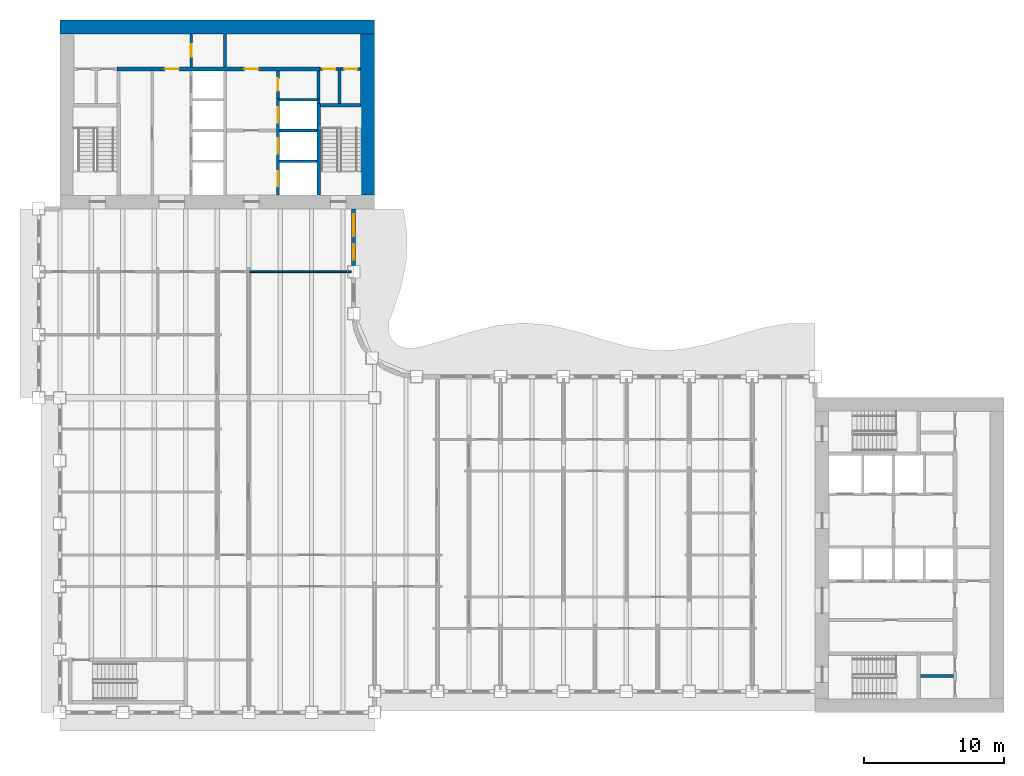
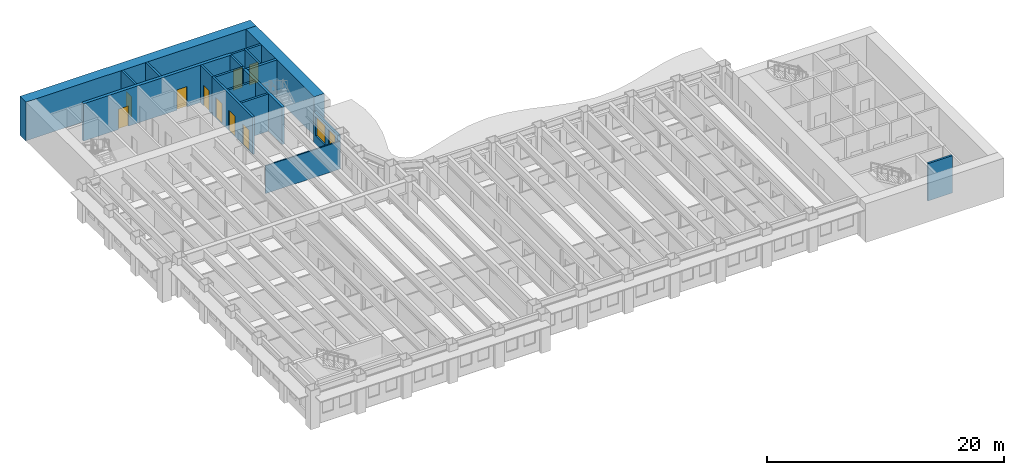
# One storey, part 9 of 16: 20 walls, 9 doors, 2 windows, 11 openings.
"""IFC4 building model written with IfcOpenShell, lengths in metres."""

import ifcopenshell
import ifcopenshell.guid

model = None  # the IFC model being written
_history = None  # IfcOwnerHistory: only IFC2X3 demands one
_inside = {}  # id of a spatial element -> (the spatial element, [elements in it])
_under = {}  # id of a project, library or spatial element -> (it, [spatial elements below it])
_declared = {}  # id of a project -> (the project, [libraries it declares])
_typed = {}  # id of a type object -> (the type object, [elements of that type])
_made_of = {}  # id of a material, layer set ... -> (it, [elements and type objects made of it])


def new_model(schema):
    """Start an empty IFC model of exactly this schema.

    Asked for "IFC4X3", IfcOpenShell would pick the latest addendum, in which some entities
    have other attributes; the version numbers below select the first issue.
    IFC2X3 requires an IfcOwnerHistory on every rooted entity: one is made here for all.
    """
    global model, _history
    if schema == "IFC4X3":
        model = ifcopenshell.file(schema_version=(4, 3, 0, 0))
    else:
        model = ifcopenshell.file(schema=schema)
    _inside.clear()
    _under.clear()
    _declared.clear()
    _typed.clear()
    _made_of.clear()
    _history = None
    if model.schema == "IFC2X3":
        org = make("IfcOrganization", Name="unknown")
        user = make(
            "IfcPersonAndOrganization",
            ThePerson=make("IfcPerson", FamilyName="unknown"),
            TheOrganization=org,
        )
        app = make(
            "IfcApplication",
            ApplicationDeveloper=org,
            Version="unknown",
            ApplicationFullName="unknown",
            ApplicationIdentifier="unknown",
        )
        _history = make(
            "IfcOwnerHistory",
            OwningUser=user,
            OwningApplication=app,
            ChangeAction="ADDED",
            CreationDate=0,
        )
    return model


def make(cls, **values):
    """One entity of the class cls with the attributes given. An attribute that is None is left unset."""
    return model.create_entity(
        cls, **{name: value for name, value in values.items() if value is not None}
    )


def rooted(cls, **values):
    """An entity with a GlobalId (a new one), such as an element, a storey or a relation."""
    return make(cls, GlobalId=ifcopenshell.guid.new(), OwnerHistory=_history, **values)


def si_unit(unit_type, name, prefix=None):
    """IfcSIUnit, for example si_unit("LENGTHUNIT", "METRE", prefix="MILLI")."""
    return make("IfcSIUnit", UnitType=unit_type, Prefix=prefix, Name=name)


def assignment(units):
    """IfcUnitAssignment: the units of a project."""
    return None if units is None else make("IfcUnitAssignment", Units=units)


def point(xyz):
    """IfcCartesianPoint."""
    return None if xyz is None else make("IfcCartesianPoint", Coordinates=xyz)


def direction(xyz):
    """IfcDirection."""
    return None if xyz is None else make("IfcDirection", DirectionRatios=xyz)


def frame(location, z_axis=None, x_axis=None):
    """IfcAxis2Placement3D, a coordinate frame: its origin and axes. An axis left out is left unset."""
    return make(
        "IfcAxis2Placement3D",
        Location=point(location),
        Axis=direction(z_axis),
        RefDirection=direction(x_axis),
    )


def frame_2d(location, x_axis=None):
    """IfcAxis2Placement2D, a coordinate frame in the plane: its origin and x axis."""
    return make(
        "IfcAxis2Placement2D", Location=point(location), RefDirection=direction(x_axis)
    )


def origin():
    """The frame at (0, 0, 0) with its axes left unset."""
    return frame((0.0, 0.0, 0.0))


def place(relative_to, where):
    """IfcLocalPlacement: puts the frame where relative to a parent placement (None: the world)."""
    return make(
        "IfcLocalPlacement", PlacementRelTo=relative_to, RelativePlacement=where
    )


def context(
    kind, dimensions, precision=None, world=None, true_north=None, identifier=None
):
    """IfcGeometricRepresentationContext, for example the 3D "Model" context."""
    return make(
        "IfcGeometricRepresentationContext",
        ContextIdentifier=identifier,
        ContextType=kind,
        CoordinateSpaceDimension=dimensions,
        Precision=precision,
        WorldCoordinateSystem=world,
        TrueNorth=true_north,
    )


def subcontext(parent, identifier, kind, view, scale=None):
    """IfcGeometricRepresentationSubContext, for example "Body" below "Model"."""
    return make(
        "IfcGeometricRepresentationSubContext",
        ContextIdentifier=identifier,
        ContextType=kind,
        ParentContext=parent,
        TargetScale=scale,
        TargetView=view,
    )


def project(units=None, contexts=None):
    """IfcProject with its units and contexts."""
    return rooted(
        "IfcProject",
        Name="project",
        RepresentationContexts=contexts,
        UnitsInContext=assignment(units),
    )


def spatial(cls, under=None, at=None, **own):
    """A site, building, storey or space (cls), placed at a placement, below another one or the project."""
    s = rooted(cls, ObjectPlacement=at, **own)
    if under is not None:
        _under.setdefault(under.id(), (under, []))[1].append(s)
    return s


def profile(cls, at=None, kind="AREA", **sizes):
    """A parametric profile (cls). Its sizes go by their IFC names, for example OverallWidth=200.0."""
    return make(cls, ProfileType=kind, Position=at, **sizes)


def rectangle(**sizes):
    """IfcRectangleProfileDef."""
    return profile("IfcRectangleProfileDef", **sizes)


def extrude(swept, where, along, depth):
    """IfcExtrudedAreaSolid: the profile swept, set in the frame where, extruded along a direction by depth."""
    return make(
        "IfcExtrudedAreaSolid",
        SweptArea=swept,
        Position=where,
        ExtrudedDirection=direction(along),
        Depth=depth,
    )


def shape(context_of_items, identifier, shape_type, items):
    """IfcShapeRepresentation: the items that make up one representation, for example the "Body"."""
    return make(
        "IfcShapeRepresentation",
        ContextOfItems=context_of_items,
        RepresentationIdentifier=identifier,
        RepresentationType=shape_type,
        Items=items,
    )


def material(Name=None, Category=None):
    """IfcMaterial."""
    return make("IfcMaterial", Name=Name, Category=Category)


def layer(
    of_material, thickness, ventilated=None, Name=None, Category=None, Priority=None
):
    """IfcMaterialLayer: one layer of a wall or slab, of a material (None: an air gap)."""
    return make(
        "IfcMaterialLayer",
        Material=of_material,
        LayerThickness=thickness,
        IsVentilated=ventilated,
        Name=Name,
        Category=Category,
        Priority=Priority,
    )


def layer_set(layers, Name=None):
    """IfcMaterialLayerSet."""
    return make("IfcMaterialLayerSet", MaterialLayers=layers, LayerSetName=Name)


def made_of(thing, what):
    """Note that an element or type object is made of a material, layer set ...; save() writes the relation."""
    if what is not None:
        _made_of.setdefault(what.id(), (what, []))[1].append(thing)
    return thing


def type_object(cls, material=None, **own):
    """A type object (cls), such as IfcWallType, which elements share."""
    return made_of(rooted(cls, **own), material)


def element(
    cls,
    number,
    at=None,
    inside=None,
    cuts=None,
    type_object=None,
    material=None,
    context=None,
    identifier="Body",
    shape_type=None,
    held_by="IfcProductDefinitionShape",
    body=None,
    shapes=None,
    **own,
):
    """One element of the class cls, such as IfcWall. Its Tag is "e" and its number.

    at: its placement. inside: the storey or other place that contains it. cuts: it is an
    opening in that element (IfcRelVoidsElement). A single representation is given by context,
    identifier, shape_type and body (its items); several are given by shapes. held_by: the class
    of the entity that holds the representations. save() writes the other relations.
    """
    e = rooted(cls, Tag="e%d" % number, ObjectPlacement=at, **own)
    if body is not None:
        shapes = [shape(context, identifier, shape_type, body)]
    if shapes is not None:
        e.Representation = make(held_by, Representations=shapes)
    if inside is not None:
        _inside.setdefault(inside.id(), (inside, []))[1].append(e)
    if cuts is not None:
        rooted(
            "IfcRelVoidsElement", RelatingBuildingElement=cuts, RelatedOpeningElement=e
        )
    if type_object is not None:
        _typed.setdefault(type_object.id(), (type_object, []))[1].append(e)
    return made_of(e, material)


def fill(opening, filler):
    """IfcRelFillsElement: the door or window that sits in an opening."""
    return rooted(
        "IfcRelFillsElement",
        RelatingOpeningElement=opening,
        RelatedBuildingElement=filler,
    )


def aggregate(whole, parts):
    """IfcRelAggregates: a whole, such as a stair, and the parts it consists of."""
    return rooted("IfcRelAggregates", RelatingObject=whole, RelatedObjects=parts)


def save(model, path):
    """Write the relations noted so far, then the file.

    IfcRelAggregates (storeys below a building ...), IfcRelContainedInSpatialStructure (elements
    in a storey), IfcRelDefinesByType, IfcRelAssociatesMaterial and IfcRelDeclares: one each for
    every whole, place, type object, material and project.
    """
    for whole, parts in _under.values():
        aggregate(whole, parts)
    for where, things in _inside.values():
        rooted(
            "IfcRelContainedInSpatialStructure",
            RelatedElements=things,
            RelatingStructure=where,
        )
    for kind, things in _typed.values():
        rooted("IfcRelDefinesByType", RelatedObjects=things, RelatingType=kind)
    for what, things in _made_of.values():
        rooted("IfcRelAssociatesMaterial", RelatedObjects=things, RelatingMaterial=what)
    for by, libraries in _declared.values():
        rooted("IfcRelDeclares", RelatingContext=by, RelatedDefinitions=libraries)
    model.write(path)


model = new_model("IFC4")

# Units and contexts
model_context = context("Model", 3, precision=1e-05, world=origin(), true_north=direction((0.0, 1.0)))
body_context = subcontext(model_context, "Body", "Model", "MODEL_VIEW")
ifc_project = project(units=[si_unit("LENGTHUNIT", "METRE"), si_unit("AREAUNIT", "SQUARE_METRE"), si_unit("VOLUMEUNIT", "CUBIC_METRE"), si_unit("PLANEANGLEUNIT", "RADIAN"), si_unit("MASSUNIT", "GRAM", prefix="KILO")], contexts=[model_context])

# Site, building, storey
site_placement = place(None, origin())
site = spatial("IfcSite", under=ifc_project, at=site_placement, CompositionType="ELEMENT")
building_placement = place(site_placement, origin())
building = spatial("IfcBuilding", under=site, at=building_placement, Name="Sennacour Bend Tower", CompositionType="ELEMENT")
storey_placement = place(building_placement, frame((0.0, 0.0, 179.0)))
storey = spatial("IfcBuildingStorey", under=building, at=storey_placement, Name="L41", CompositionType="ELEMENT", Elevation=179.0)

# Walls
ifc_material_1 = material(Name="Concrete C60/75", Category="concrete")
ifc_layer_1 = layer(ifc_material_1, 1.0, Name="Concrete C60/75", Category="concrete")
ifc_layer_set_1 = layer_set([ifc_layer_1], Name="Concrete C60/75")
wall_type_1 = type_object("IfcWallType", Name="Core wall 1000 C60/75", PredefinedType="SHEAR", material=ifc_layer_set_1)
wall_1_placement = place(storey_placement, frame((0.0, 49.0, -0.14990234375), z_axis=(0.0, 0.0, 1.0), x_axis=(1.0, 0.0, 0.0)))
element("IfcWall", 1, at=wall_1_placement, inside=storey, type_object=wall_type_1, Name="Core B wall L41 N", PredefinedType="SHEAR", context=body_context, shape_type="SweptSolid", body=[
    extrude(rectangle(XDim=22.5, YDim=1.0, at=frame_2d((11.25, 0.0))), origin(), (0.0, 0.0, 1.0), 4.0),
])
wall_2_placement = place(storey_placement, frame((22.0, 37.0, -0.14990234375), z_axis=(0.0, 0.0, 1.0), x_axis=(0.0, 1.0, 0.0)))
element("IfcWall", 2, at=wall_2_placement, inside=storey, type_object=wall_type_1, Name="Core B wall L41 E", PredefinedType="SHEAR", context=body_context, shape_type="SweptSolid", body=[
    extrude(rectangle(XDim=11.5, YDim=1.0, at=frame_2d((5.75, 0.0))), origin(), (0.0, 0.0, 1.0), 4.0),
])
ifc_material_2 = material(Name="Plasterboard partition on steel studs", Category="steel")
ifc_layer_2 = layer(ifc_material_2, 0.1201171875, Name="Plasterboard partition on steel studs", Category="steel")
ifc_layer_set_2 = layer_set([ifc_layer_2], Name="Plasterboard partition on steel studs")
wall_type_2 = type_object("IfcWallType", Name="Partition 120", PredefinedType="PARTITIONING", material=ifc_layer_set_2)
wall_3_placement = place(storey_placement, frame((13.56005859375, 31.5, 0.0), z_axis=(0.0, 0.0, 1.0), x_axis=(1.0, 0.0, 0.0)))
element("IfcWall", 3, at=wall_3_placement, inside=storey, type_object=wall_type_2, Name="P-L41-W085ae", PredefinedType="PARTITIONING", context=body_context, shape_type="SweptSolid", body=[
    extrude(rectangle(XDim=7.2900390625, YDim=0.1201171875, at=frame_2d((3.64501953125, 0.0))), origin(), (0.0, 0.0, 1.0), 2.8701171875),
])

# Wall, opening, door
ifc_material_3 = material(Name="Fire-rated plasterboard partition on steel studs", Category="steel")
ifc_layer_3 = layer(ifc_material_3, 0.199951171875, Name="Fire-rated plasterboard partition on steel studs", Category="steel")
ifc_layer_set_3 = layer_set([ifc_layer_3], Name="Fire-rated plasterboard partition on steel studs")
wall_type_3 = type_object("IfcWallType", Name="Rated partition 200", PredefinedType="PARTITIONING", material=ifc_layer_set_3)
wall_4_placement = place(storey_placement, frame((9.39990234375, 46.14990234375, 0.0), z_axis=(0.0, 0.0, 1.0), x_axis=(0.0, 1.0, 0.0)))
wall_4 = element("IfcWall", 4, at=wall_4_placement, inside=storey, type_object=wall_type_3, Name="P-L41-W012", PredefinedType="PARTITIONING", context=body_context, shape_type="SweptSolid", body=[
    extrude(rectangle(XDim=2.35009765625, YDim=0.199951171875, at=frame_2d((1.175048828125, 0.0))), origin(), (0.0, 0.0, 1.0), 3.85009765625),
])
opening_1_placement = place(wall_4_placement, frame((0.72509765625, 0.0, 0.0)))
opening_1 = element("IfcOpeningElement", 5, at=opening_1_placement, cuts=wall_4, Name="Opening SV", PredefinedType="OPENING", context=body_context, shape_type="SweptSolid", body=[
    extrude(rectangle(XDim=0.89990234375, YDim=2.10009765625, at=frame_2d((0.449951171875, 1.050048828125))), frame((0.0, 0.10986328125, 0.0), z_axis=(0.0, -1.0, 0.0), x_axis=(1.0, 0.0, 0.0)), (0.0, 0.0, 1.0), 0.219970703125),
])
ifc_material_4 = material(Name="Painted steel", Category="steel")
door_type_1 = type_object("IfcDoorType", Name="DR-SERVICE-900", OperationType="NOTDEFINED", PredefinedType="DOOR", material=ifc_material_4)
door_1_placement = place(opening_1_placement, origin())
door_1 = element("IfcDoor", 6, at=door_1_placement, inside=storey, type_object=door_type_1, Name="Door", OperationType="SINGLE_SWING_RIGHT", OverallHeight=2.10009765625, OverallWidth=0.89990234375, PredefinedType="DOOR", context=body_context, shape_type="SweptSolid", body=[
    extrude(rectangle(XDim=0.89990234375, YDim=2.10009765625, at=frame_2d((0.449951171875, 1.050048828125))), frame((0.0, 0.02490234375, 0.0), z_axis=(0.0, -1.0, 0.0), x_axis=(1.0, 0.0, 0.0)), (0.0, 0.0, 1.0), 0.050048828125),
])
fill(opening_1, door_1)

# Wall
wall_5_placement = place(storey_placement, frame((11.800048828125, 46.14990234375, 0.0), z_axis=(0.0, 0.0, 1.0), x_axis=(0.0, 1.0, 0.0)))
element("IfcWall", 7, at=wall_5_placement, inside=storey, type_object=wall_type_3, Name="P-L41-W015", PredefinedType="PARTITIONING", context=body_context, shape_type="SweptSolid", body=[
    extrude(rectangle(XDim=2.35009765625, YDim=0.199951171875, at=frame_2d((1.175048828125, 0.0))), origin(), (0.0, 0.0, 1.0), 3.85009765625),
])

# Wall, opening, door
wall_6_placement = place(storey_placement, frame((15.60009765625, 43.89990234375, 0.0), z_axis=(0.0, 0.0, 1.0), x_axis=(0.0, 1.0, 0.0)))
wall_6 = element("IfcWall", 8, at=wall_6_placement, inside=storey, type_object=wall_type_3, Name="P-L41-W019", PredefinedType="PARTITIONING", context=body_context, shape_type="SweptSolid", body=[
    extrude(rectangle(XDim=1.9501953125, YDim=0.199951171875, at=frame_2d((0.97509765625, 0.0))), origin(), (0.0, 0.0, 1.0), 3.85009765625),
])
opening_2_placement = place(wall_6_placement, frame((0.525146484375, 0.0, 0.0)))
opening_2 = element("IfcOpeningElement", 9, at=opening_2_placement, cuts=wall_6, Name="Opening SV", PredefinedType="OPENING", context=body_context, shape_type="SweptSolid", body=[
    extrude(rectangle(XDim=0.89990234375, YDim=2.10009765625, at=frame_2d((0.449951171875, 1.050048828125))), frame((0.0, 0.10986328125, 0.0), z_axis=(0.0, -1.0, 0.0), x_axis=(1.0, 0.0, 0.0)), (0.0, 0.0, 1.0), 0.219970703125),
])
door_2_placement = place(opening_2_placement, origin())
door_2 = element("IfcDoor", 10, at=door_2_placement, inside=storey, type_object=door_type_1, Name="Door", OperationType="SINGLE_SWING_RIGHT", OverallHeight=2.10009765625, OverallWidth=0.89990234375, PredefinedType="DOOR", context=body_context, shape_type="SweptSolid", body=[
    extrude(rectangle(XDim=0.89990234375, YDim=2.10009765625, at=frame_2d((0.449951171875, 1.050048828125))), frame((0.0, 0.02490234375, 0.0), z_axis=(0.0, -1.0, 0.0), x_axis=(1.0, 0.0, 0.0)), (0.0, 0.0, 1.0), 0.050048828125),
])
fill(opening_2, door_2)

# Walls
wall_7_placement = place(storey_placement, frame((18.5, 43.89990234375, 0.0), z_axis=(0.0, 0.0, 1.0), x_axis=(0.0, 1.0, 0.0)))
element("IfcWall", 11, at=wall_7_placement, inside=storey, type_object=wall_type_3, Name="P-L41-W022", PredefinedType="PARTITIONING", context=body_context, shape_type="SweptSolid", body=[
    extrude(rectangle(XDim=1.9501953125, YDim=0.199951171875, at=frame_2d((0.97509765625, 0.0))), origin(), (0.0, 0.0, 1.0), 3.85009765625),
])
wall_8_placement = place(storey_placement, frame((20.0, 43.52490234375, 0.0), z_axis=(0.0, 0.0, 1.0), x_axis=(0.0, 1.0, 0.0)))
element("IfcWall", 12, at=wall_8_placement, inside=storey, type_object=wall_type_3, Name="P-L41-W023", PredefinedType="PARTITIONING", context=body_context, shape_type="SweptSolid", body=[
    extrude(rectangle(XDim=2.5751953125, YDim=0.199951171875, at=frame_2d((1.28759765625, 0.0))), origin(), (0.0, 0.0, 1.0), 3.85009765625),
])
wall_9_placement = place(storey_placement, frame((61.52490234375, 2.60009765625, 0.0), z_axis=(0.0, 0.0, 1.0), x_axis=(1.0, 0.0, 0.0)))
element("IfcWall", 13, at=wall_9_placement, inside=storey, type_object=wall_type_3, Name="P-L41-W055", PredefinedType="PARTITIONING", context=body_context, shape_type="SweptSolid", body=[
    extrude(rectangle(XDim=2.375, YDim=0.199951171875, at=frame_2d((1.1875, 0.0))), origin(), (0.0, 0.0, 1.0), 3.85009765625),
])

# Wall, opening, door
wall_10_placement = place(storey_placement, frame((18.60009765625, 46.0, 0.0), z_axis=(0.0, 0.0, 1.0), x_axis=(1.0, 0.0, 0.0)))
wall_10 = element("IfcWall", 14, at=wall_10_placement, inside=storey, type_object=wall_type_3, Name="P-L41-W098a", PredefinedType="PARTITIONING", context=body_context, shape_type="SweptSolid", body=[
    extrude(rectangle(XDim=1.2998046875, YDim=0.199951171875, at=frame_2d((0.64990234375, 0.0))), origin(), (0.0, 0.0, 1.0), 3.85009765625),
])
opening_3_placement = place(wall_10_placement, frame((0.199951171875, 0.0, 0.0)))
opening_3 = element("IfcOpeningElement", 15, at=opening_3_placement, cuts=wall_10, Name="Opening SV", PredefinedType="OPENING", context=body_context, shape_type="SweptSolid", body=[
    extrude(rectangle(XDim=0.89990234375, YDim=2.10009765625, at=frame_2d((0.449951171875, 1.050048828125))), frame((0.0, 0.10986328125, 0.0), z_axis=(0.0, -1.0, 0.0), x_axis=(1.0, 0.0, 0.0)), (0.0, 0.0, 1.0), 0.219970703125),
])
door_3_placement = place(opening_3_placement, origin())
door_3 = element("IfcDoor", 16, at=door_3_placement, inside=storey, type_object=door_type_1, Name="Door", OperationType="SINGLE_SWING_LEFT", OverallHeight=2.10009765625, OverallWidth=0.89990234375, PredefinedType="DOOR", context=body_context, shape_type="SweptSolid", body=[
    extrude(rectangle(XDim=0.89990234375, YDim=2.10009765625, at=frame_2d((0.449951171875, 1.050048828125))), frame((0.0, 0.02490234375, 0.0), z_axis=(0.0, -1.0, 0.0), x_axis=(1.0, 0.0, 0.0)), (0.0, 0.0, 1.0), 0.050048828125),
])
fill(opening_3, door_3)

wall_11_placement = place(storey_placement, frame((20.10009765625, 46.0, 0.0), z_axis=(0.0, 0.0, 1.0), x_axis=(1.0, 0.0, 0.0)))
wall_11 = element("IfcWall", 17, at=wall_11_placement, inside=storey, type_object=wall_type_3, Name="P-L41-W098b", PredefinedType="PARTITIONING", context=body_context, shape_type="SweptSolid", body=[
    extrude(rectangle(XDim=1.39990234375, YDim=0.199951171875, at=frame_2d((0.699951171875, 0.0))), origin(), (0.0, 0.0, 1.0), 3.85009765625),
])
opening_4_placement = place(wall_11_placement, frame((0.25, 0.0, 0.0)))
opening_4 = element("IfcOpeningElement", 18, at=opening_4_placement, cuts=wall_11, Name="Opening SV", PredefinedType="OPENING", context=body_context, shape_type="SweptSolid", body=[
    extrude(rectangle(XDim=0.89990234375, YDim=2.10009765625, at=frame_2d((0.449951171875, 1.050048828125))), frame((0.0, 0.10986328125, 0.0), z_axis=(0.0, -1.0, 0.0), x_axis=(1.0, 0.0, 0.0)), (0.0, 0.0, 1.0), 0.219970703125),
])
door_4_placement = place(opening_4_placement, origin())
door_4 = element("IfcDoor", 19, at=door_4_placement, inside=storey, type_object=door_type_1, Name="Door", OperationType="SINGLE_SWING_LEFT", OverallHeight=2.10009765625, OverallWidth=0.89990234375, PredefinedType="DOOR", context=body_context, shape_type="SweptSolid", body=[
    extrude(rectangle(XDim=0.89990234375, YDim=2.10009765625, at=frame_2d((0.449951171875, 1.050048828125))), frame((0.0, 0.02490234375, 0.0), z_axis=(0.0, -1.0, 0.0), x_axis=(1.0, 0.0, 0.0)), (0.0, 0.0, 1.0), 0.050048828125),
])
fill(opening_4, door_4)

# Wall, openings, windows
ifc_material_5 = material(Name="Warm limestone cladding", Category="masonry")
ifc_layer_4 = layer(ifc_material_5, 0.050048828125, Name="Warm limestone cladding", Category="masonry")
ifc_material_6 = material(Name="Precast concrete C40/50", Category="concrete")
ifc_layer_5 = layer(ifc_material_6, 0.25, Name="Precast concrete C40/50", Category="concrete")
ifc_layer_set_4 = layer_set([ifc_layer_4, ifc_layer_5], Name="Precast concrete C40/50 with limestone cladding")
wall_type_4 = type_object("IfcWallType", Name="STONE-CLAD PRECAST SPANDREL 300", PredefinedType="STANDARD", material=ifc_layer_set_4)
wall_12_placement = place(storey_placement, frame((21.0, 31.949951171875, 0.0), z_axis=(0.0, 0.0, 1.0), x_axis=(0.0, 1.0, 0.0)))
wall_12 = element("IfcWall", 20, at=wall_12_placement, inside=storey, type_object=wall_type_4, Name="Stone spandrel and pier wall L41 15.01", PredefinedType="STANDARD", context=body_context, shape_type="SweptSolid", body=[
    extrude(rectangle(XDim=4.050048828125, YDim=0.300048828125, at=frame_2d((2.02490234375, 0.0))), origin(), (0.0, 0.0, 1.0), 3.14892578125),
])
opening_5_placement = place(wall_12_placement, frame((0.39990234375, 0.0, 0.89990234375)))
opening_5 = element("IfcOpeningElement", 21, at=opening_5_placement, cuts=wall_12, Name="Opening W19", PredefinedType="OPENING", context=body_context, shape_type="SweptSolid", body=[
    extrude(rectangle(XDim=1.10009765625, YDim=2.0, at=frame_2d((0.550048828125, 1.0))), frame((0.0, 0.16015625, 0.0), z_axis=(0.0, -1.0, 0.0), x_axis=(1.0, 0.0, 0.0)), (0.0, 0.0, 1.0), 0.320068359375),
])
opening_6_placement = place(wall_12_placement, frame((2.10009765625, 0.0, 0.89990234375)))
opening_6 = element("IfcOpeningElement", 22, at=opening_6_placement, cuts=wall_12, Name="Opening W9", PredefinedType="OPENING", context=body_context, shape_type="SweptSolid", body=[
    extrude(rectangle(XDim=1.550048828125, YDim=2.0, at=frame_2d((0.77490234375, 1.0))), frame((0.0, 0.16015625, 0.0), z_axis=(0.0, -1.0, 0.0), x_axis=(1.0, 0.0, 0.0)), (0.0, 0.0, 1.0), 0.320068359375),
])
ifc_material_7 = material(Name="Clear low-emissivity glass", Category="glass")
window_type_1 = type_object("IfcWindowType", Name="WIN-RIBBON-1100x2000", PartitioningType="SINGLE_PANEL", PredefinedType="WINDOW", material=ifc_material_7)
window_1_placement = place(opening_5_placement, origin())
window_1 = element("IfcWindow", 23, at=window_1_placement, inside=storey, type_object=window_type_1, Name="Ribbon window L41 15.01.0", OverallHeight=2.0, OverallWidth=1.10009765625, PartitioningType="SINGLE_PANEL", PredefinedType="WINDOW", context=body_context, shape_type="SweptSolid", body=[
    extrude(rectangle(XDim=1.10009765625, YDim=2.0, at=frame_2d((0.550048828125, 1.0))), frame((0.0, 0.030029296875, 0.0), z_axis=(0.0, -1.0, 0.0), x_axis=(1.0, 0.0, 0.0)), (0.0, 0.0, 1.0), 0.06005859375),
])
fill(opening_5, window_1)
window_type_2 = type_object("IfcWindowType", Name="WIN-RIBBON-1550x2000", PartitioningType="SINGLE_PANEL", PredefinedType="WINDOW", material=ifc_material_7)
window_2_placement = place(opening_6_placement, origin())
window_2 = element("IfcWindow", 24, at=window_2_placement, inside=storey, type_object=window_type_2, Name="Ribbon window L41 15.01.1", OverallHeight=2.0, OverallWidth=1.550048828125, PartitioningType="SINGLE_PANEL", PredefinedType="WINDOW", context=body_context, shape_type="SweptSolid", body=[
    extrude(rectangle(XDim=1.550048828125, YDim=2.0, at=frame_2d((0.77490234375, 1.0))), frame((0.0, 0.030029296875, 0.0), z_axis=(0.0, -1.0, 0.0), x_axis=(1.0, 0.0, 0.0)), (0.0, 0.0, 1.0), 0.06005859375),
])
fill(opening_6, window_2)

# Wall, openings, doors
ifc_material_8 = material(Name="Concrete C50/60", Category="concrete")
ifc_layer_6 = layer(ifc_material_8, 0.199951171875, Name="Concrete C50/60", Category="concrete")
ifc_layer_set_5 = layer_set([ifc_layer_6], Name="Concrete C50/60")
wall_type_5 = type_object("IfcWallType", Name="Shaft wall 200", PredefinedType="SOLIDWALL", material=ifc_layer_set_5)
wall_13_placement = place(storey_placement, frame((15.60009765625, 37.0, 0.0), z_axis=(0.0, 0.0, 1.0), x_axis=(0.0, 1.0, 0.0)))
wall_13 = element("IfcWall", 25, at=wall_13_placement, inside=storey, type_object=wall_type_5, Name="P-L41-W018", PredefinedType="SOLIDWALL", context=body_context, shape_type="SweptSolid", body=[
    extrude(rectangle(XDim=6.89990234375, YDim=0.199951171875, at=frame_2d((3.449951171875, 0.0))), origin(), (0.0, 0.0, 1.0), 3.85009765625),
])
opening_7_placement = place(wall_13_placement, frame((0.60009765625, 0.0, 0.011962890625)))
opening_7 = element("IfcOpeningElement", 26, at=opening_7_placement, cuts=wall_13, Name="Opening FLD", PredefinedType="OPENING", context=body_context, shape_type="SweptSolid", body=[
    extrude(rectangle(XDim=1.10009765625, YDim=2.10009765625, at=frame_2d((0.550048828125, 1.050048828125))), frame((0.0, 0.10986328125, 0.0), z_axis=(0.0, -1.0, 0.0), x_axis=(1.0, 0.0, 0.0)), (0.0, 0.0, 1.0), 0.219970703125),
])
opening_8_placement = place(wall_13_placement, frame((2.949951171875, 0.0, 0.011962890625)))
opening_8 = element("IfcOpeningElement", 27, at=opening_8_placement, cuts=wall_13, Name="Opening FLD", PredefinedType="OPENING", context=body_context, shape_type="SweptSolid", body=[
    extrude(rectangle(XDim=1.10009765625, YDim=2.10009765625, at=frame_2d((0.550048828125, 1.050048828125))), frame((0.0, 0.10986328125, 0.0), z_axis=(0.0, -1.0, 0.0), x_axis=(1.0, 0.0, 0.0)), (0.0, 0.0, 1.0), 0.219970703125),
])
opening_9_placement = place(wall_13_placement, frame((5.14990234375, 0.0, 0.011962890625)))
opening_9 = element("IfcOpeningElement", 28, at=opening_9_placement, cuts=wall_13, Name="Opening LD", PredefinedType="OPENING", context=body_context, shape_type="SweptSolid", body=[
    extrude(rectangle(XDim=1.10009765625, YDim=2.10009765625, at=frame_2d((0.550048828125, 1.050048828125))), frame((0.0, 0.10986328125, 0.0), z_axis=(0.0, -1.0, 0.0), x_axis=(1.0, 0.0, 0.0)), (0.0, 0.0, 1.0), 0.219970703125),
])
ifc_material_9 = material(Name="Stainless steel", Category="steel")
door_type_2 = type_object("IfcDoorType", Name="DR-FF-LANDING-1100", OperationType="NOTDEFINED", PredefinedType="DOOR", material=ifc_material_9)
door_5_placement = place(opening_7_placement, origin())
door_5 = element("IfcDoor", 29, at=door_5_placement, inside=storey, type_object=door_type_2, Name="Fire service lift landing door FB1", OperationType="SLIDING_TO_RIGHT", OverallHeight=2.10009765625, OverallWidth=1.10009765625, PredefinedType="DOOR", context=body_context, shape_type="SweptSolid", body=[
    extrude(rectangle(XDim=1.10009765625, YDim=2.10009765625, at=frame_2d((0.550048828125, 1.050048828125))), frame((0.0, 0.02490234375, 0.0), z_axis=(0.0, -1.0, 0.0), x_axis=(1.0, 0.0, 0.0)), (0.0, 0.0, 1.0), 0.050048828125),
])
fill(opening_7, door_5)
door_6_placement = place(opening_8_placement, origin())
door_6 = element("IfcDoor", 30, at=door_6_placement, inside=storey, type_object=door_type_2, Name="Fire service lift landing door FB2", OperationType="SLIDING_TO_LEFT", OverallHeight=2.10009765625, OverallWidth=1.10009765625, PredefinedType="DOOR", context=body_context, shape_type="SweptSolid", body=[
    extrude(rectangle(XDim=1.10009765625, YDim=2.10009765625, at=frame_2d((0.550048828125, 1.050048828125))), frame((0.0, 0.02490234375, 0.0), z_axis=(0.0, -1.0, 0.0), x_axis=(1.0, 0.0, 0.0)), (0.0, 0.0, 1.0), 0.050048828125),
])
fill(opening_8, door_6)
door_type_3 = type_object("IfcDoorType", Name="DR-LANDING-1100", OperationType="NOTDEFINED", PredefinedType="DOOR", material=ifc_material_9)
door_7_placement = place(opening_9_placement, origin())
door_7 = element("IfcDoor", 31, at=door_7_placement, inside=storey, type_object=door_type_3, Name="Lift landing door MB5", OperationType="SLIDING_TO_RIGHT", OverallHeight=2.10009765625, OverallWidth=1.10009765625, PredefinedType="DOOR", context=body_context, shape_type="SweptSolid", body=[
    extrude(rectangle(XDim=1.10009765625, YDim=2.10009765625, at=frame_2d((0.550048828125, 1.050048828125))), frame((0.0, 0.02490234375, 0.0), z_axis=(0.0, -1.0, 0.0), x_axis=(1.0, 0.0, 0.0)), (0.0, 0.0, 1.0), 0.050048828125),
])
fill(opening_9, door_7)

# Walls
wall_14_placement = place(storey_placement, frame((18.5, 43.52490234375, 0.0), z_axis=(0.0, 0.0, 1.0), x_axis=(0.0, 1.0, 0.0)))
element("IfcWall", 32, at=wall_14_placement, inside=storey, type_object=wall_type_5, Name="P-L41-W021", PredefinedType="SOLIDWALL", context=body_context, shape_type="SweptSolid", body=[
    extrude(rectangle(XDim=0.375, YDim=0.199951171875, at=frame_2d((0.1875, 0.0))), origin(), (0.0, 0.0, 1.0), 3.85009765625),
])
for number, where, z_axis, x_axis, name in (
    (33, (15.699951171875, 39.39990234375, 0.0), (0.0, 0.0, 1.0), (1.0, 0.0, 0.0), "P-L41-W088"),
    (34, (15.699951171875, 41.60009765625, 0.0), (0.0, 0.0, 1.0), (1.0, 0.0, 0.0), "P-L41-W091"),
):
    element("IfcWall", number, at=place(storey_placement, frame(where, z_axis=z_axis, x_axis=x_axis)), inside=storey, type_object=wall_type_5, Name=name, PredefinedType="SOLIDWALL", context=body_context, shape_type="SweptSolid", body=[
        extrude(rectangle(XDim=2.675048828125, YDim=0.199951171875, at=frame_2d((1.33740234375, 0.0))), origin(), (0.0, 0.0, 1.0), 3.85009765625),
    ])
wall_15_placement = place(storey_placement, frame((15.699951171875, 43.800048828125, 0.0), z_axis=(0.0, 0.0, 1.0), x_axis=(1.0, 0.0, 0.0)))
element("IfcWall", 35, at=wall_15_placement, inside=storey, type_object=wall_type_5, Name="P-L41-W095", PredefinedType="SOLIDWALL", context=body_context, shape_type="SweptSolid", body=[
    extrude(rectangle(XDim=2.699951171875, YDim=0.199951171875, at=frame_2d((1.35009765625, 0.0))), origin(), (0.0, 0.0, 1.0), 3.85009765625),
])

# Wall, openings, doors
ifc_layer_7 = layer(ifc_material_1, 0.300048828125, Name="Concrete C60/75", Category="concrete")
ifc_layer_set_6 = layer_set([ifc_layer_7], Name="Concrete C60/75")
wall_type_6 = type_object("IfcWallType", Name="Spine wall 300", PredefinedType="SHEAR", material=ifc_layer_set_6)
wall_16_placement = place(storey_placement, frame((4.10009765625, 46.0, 0.0), z_axis=(0.0, 0.0, 1.0), x_axis=(1.0, 0.0, 0.0)))
wall_16 = element("IfcWall", 36, at=wall_16_placement, inside=storey, type_object=wall_type_6, Name="P-L41-W097", PredefinedType="SHEAR", context=body_context, shape_type="SweptSolid", body=[
    extrude(rectangle(XDim=14.5, YDim=0.300048828125, at=frame_2d((7.25, 0.0))), origin(), (0.0, 0.0, 1.0), 3.85009765625),
])
opening_10_placement = place(wall_16_placement, frame((3.39990234375, 0.0, 0.0)))
opening_10 = element("IfcOpeningElement", 37, at=opening_10_placement, cuts=wall_16, Name="Opening CD2", PredefinedType="OPENING", context=body_context, shape_type="SweptSolid", body=[
    extrude(rectangle(XDim=1.0, YDim=2.10009765625, at=frame_2d((0.5, 1.050048828125))), frame((0.0, 0.16015625, 0.0), z_axis=(0.0, -1.0, 0.0), x_axis=(1.0, 0.0, 0.0)), (0.0, 0.0, 1.0), 0.320068359375),
])
opening_11_placement = place(wall_16_placement, frame((9.099853515625, 0.0, 0.0)))
opening_11 = element("IfcOpeningElement", 38, at=opening_11_placement, cuts=wall_16, Name="Opening CD2", PredefinedType="OPENING", context=body_context, shape_type="SweptSolid", body=[
    extrude(rectangle(XDim=1.0, YDim=2.10009765625, at=frame_2d((0.5, 1.050048828125))), frame((0.0, 0.16015625, 0.0), z_axis=(0.0, -1.0, 0.0), x_axis=(1.0, 0.0, 0.0)), (0.0, 0.0, 1.0), 0.320068359375),
])
door_type_4 = type_object("IfcDoorType", Name="DR-LOBBY-1000", OperationType="NOTDEFINED", PredefinedType="DOOR", material=ifc_material_4)
door_8_placement = place(opening_10_placement, origin())
door_8 = element("IfcDoor", 39, at=door_8_placement, inside=storey, type_object=door_type_4, Name="Door", OperationType="SINGLE_SWING_LEFT", OverallHeight=2.10009765625, OverallWidth=1.0, PredefinedType="DOOR", context=body_context, shape_type="SweptSolid", body=[
    extrude(rectangle(XDim=1.0, YDim=2.10009765625, at=frame_2d((0.5, 1.050048828125))), frame((0.0, 0.02490234375, 0.0), z_axis=(0.0, -1.0, 0.0), x_axis=(1.0, 0.0, 0.0)), (0.0, 0.0, 1.0), 0.050048828125),
])
fill(opening_10, door_8)
door_9_placement = place(opening_11_placement, origin())
door_9 = element("IfcDoor", 40, at=door_9_placement, inside=storey, type_object=door_type_4, Name="Door", OperationType="SINGLE_SWING_RIGHT", OverallHeight=2.10009765625, OverallWidth=1.0, PredefinedType="DOOR", context=body_context, shape_type="SweptSolid", body=[
    extrude(rectangle(XDim=1.0, YDim=2.10009765625, at=frame_2d((0.5, 1.050048828125))), frame((0.0, 0.02490234375, 0.0), z_axis=(0.0, -1.0, 0.0), x_axis=(1.0, 0.0, 0.0)), (0.0, 0.0, 1.0), 0.050048828125),
])
fill(opening_11, door_9)

# Walls
ifc_layer_8 = layer(ifc_material_1, 0.25, Name="Concrete C60/75", Category="concrete")
ifc_layer_set_7 = layer_set([ifc_layer_8], Name="Concrete C60/75")
wall_type_7 = type_object("IfcWallType", Name="Stair wall 250", PredefinedType="SHEAR", material=ifc_layer_set_7)
wall_17_placement = place(storey_placement, frame((18.5, 37.0, 0.0), z_axis=(0.0, 0.0, 1.0), x_axis=(0.0, 1.0, 0.0)))
element("IfcWall", 41, at=wall_17_placement, inside=storey, type_object=wall_type_7, Name="P-L41-W020", PredefinedType="SHEAR", context=body_context, shape_type="SweptSolid", body=[
    extrude(rectangle(XDim=6.52490234375, YDim=0.25, at=frame_2d((3.262451171875, 0.0))), origin(), (0.0, 0.0, 1.0), 3.85009765625),
])
wall_18_placement = place(storey_placement, frame((18.625, 43.39990234375, 0.0), z_axis=(0.0, 0.0, 1.0), x_axis=(1.0, 0.0, 0.0)))
element("IfcWall", 42, at=wall_18_placement, inside=storey, type_object=wall_type_7, Name="P-L41-W093", PredefinedType="SHEAR", context=body_context, shape_type="SweptSolid", body=[
    extrude(rectangle(XDim=2.875, YDim=0.25, at=frame_2d((1.4375, 0.0))), origin(), (0.0, 0.0, 1.0), 3.85009765625),
])

save(model, "model.ifc")
